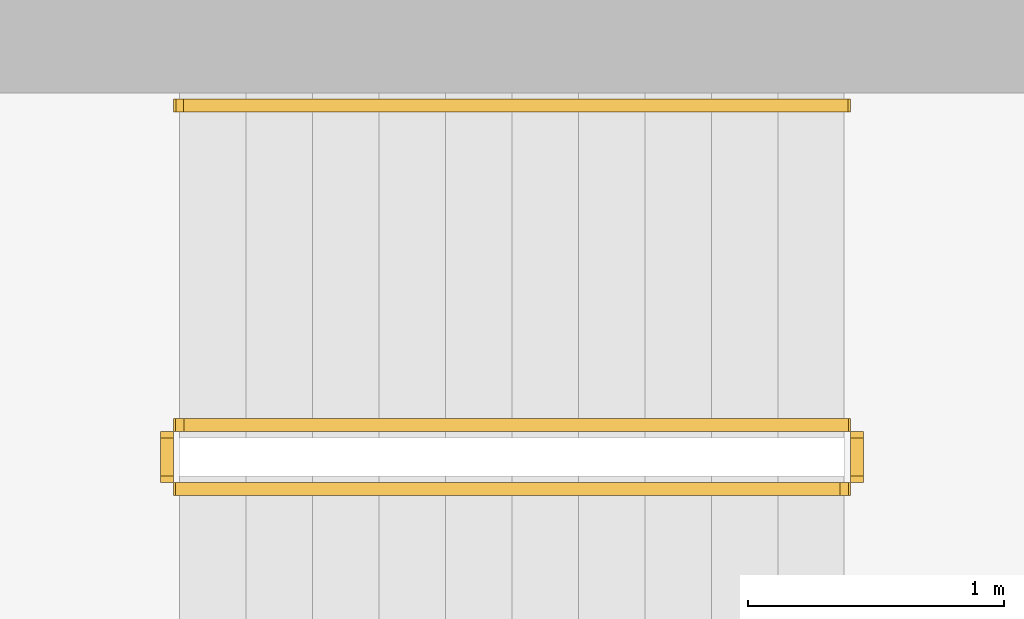
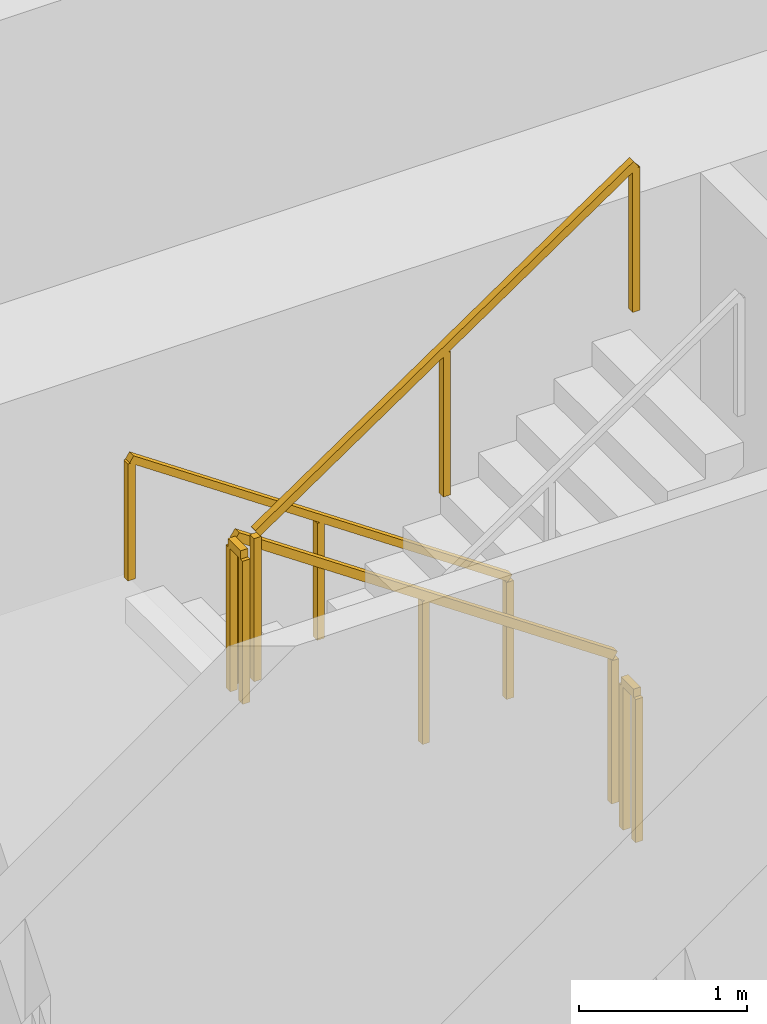
# One storey, part 13 of 14: 5 railings.
"""IFC4 building model written with IfcOpenShell, lengths in metres."""

from ifc_helpers import new_model, si_unit, direction, frame, origin, origin_2d, place, context, subcontext, project, spatial, rectangle, extrude, material, type_object, element, save


model = new_model("IFC4")

# Units and contexts
model_context = context("Model", 3, precision=1e-05, world=origin(), true_north=direction((0.0, 1.0)))
body_context = subcontext(model_context, "Body", "Model", "MODEL_VIEW")
ifc_project = project(units=[si_unit("LENGTHUNIT", "METRE"), si_unit("AREAUNIT", "SQUARE_METRE"), si_unit("VOLUMEUNIT", "CUBIC_METRE"), si_unit("PLANEANGLEUNIT", "RADIAN"), si_unit("MASSUNIT", "GRAM", prefix="KILO")], contexts=[model_context])

# Site, building, storey
site_placement = place(None, origin())
site = spatial("IfcSite", under=ifc_project, at=site_placement, CompositionType="ELEMENT")
building_placement = place(site_placement, origin())
building = spatial("IfcBuilding", under=site, at=building_placement, Name="Khepri Terraces", CompositionType="ELEMENT")
storey_placement = place(building_placement, frame((0.0, 0.0, 62.10009765625)))
storey = spatial("IfcBuildingStorey", under=building, at=storey_placement, Name="L14", CompositionType="ELEMENT", Elevation=62.10009765625)

# Railings
ifc_material = material(Name="Stainless steel 316", Category="steel")
railing_type_1 = type_object("IfcRailingType", Name="RL-CORE-GUARD", PredefinedType="GUARDRAIL", material=ifc_material)
railing_1_placement = place(storey_placement, frame((-0.25, 8.800048828125, 0.17724609375)))
element("IfcRailing", 1, at=railing_1_placement, inside=storey, type_object=railing_type_1, Name="L14 ST-3 stair guard 1", PredefinedType="GUARDRAIL", context=body_context, shape_type="SweptSolid", body=[
    extrude(rectangle(XDim=0.050048828125, YDim=0.06005859375, at=origin_2d()), frame((0.0, 0.0, 1.070068359375), z_axis=(-0.826240473404, 0.0, 0.563317565952), x_axis=(0.0, -1.0, 0.0)), (0.0, 0.0, 1.0), 3.14697265625),
    extrude(rectangle(XDim=0.050048828125, YDim=0.050048828125, at=origin_2d()), origin(), (0.0, 0.0, 1.0), 1.0400390625),
    extrude(rectangle(XDim=0.050048828125, YDim=0.050048828125, at=origin_2d()), frame((-1.300048828125, 0.0, 0.88623046875)), (0.0, 0.0, 1.0), 1.0400390625),
    extrude(rectangle(XDim=0.050048828125, YDim=0.050048828125, at=origin_2d()), frame((-2.60009765625, 0.0, 1.772705078125)), (0.0, 0.0, 1.0), 1.0400390625),
])
railing_2_placement = place(storey_placement, frame((-2.89990234375, 8.75, 1.949951171875)))
element("IfcRailing", 2, at=railing_2_placement, inside=storey, type_object=railing_type_1, Name="L14 ST-3 stair guard 2", PredefinedType="GUARDRAIL", context=body_context, shape_type="SweptSolid", body=[
    extrude(rectangle(XDim=0.050048828125, YDim=0.06005859375, at=origin_2d()), frame((0.0, 0.0, 1.070068359375), z_axis=(0.0, -1.0, 0.0), x_axis=(1.0, 0.0, 0.0)), (0.0, 0.0, 1.0), 0.14990234375),
    extrude(rectangle(XDim=0.050048828125, YDim=0.050048828125, at=origin_2d()), origin(), (0.0, 0.0, 1.0), 1.0400390625),
    extrude(rectangle(XDim=0.050048828125, YDim=0.050048828125, at=origin_2d()), frame((0.0, -0.14990234375, 0.0)), (0.0, 0.0, 1.0), 1.0400390625),
])
railing_3_placement = place(storey_placement, frame((-2.85009765625, 8.550048828125, 2.127197265625)))
element("IfcRailing", 3, at=railing_3_placement, inside=storey, type_object=railing_type_1, Name="L14 ST-3 stair guard 3", PredefinedType="GUARDRAIL", context=body_context, shape_type="SweptSolid", body=[
    extrude(rectangle(XDim=0.050048828125, YDim=0.06005859375, at=origin_2d()), frame((0.0, 0.0, 1.070068359375), z_axis=(0.826240473404, 0.0, 0.563317565952), x_axis=(0.0, 1.0, 0.0)), (0.0, 0.0, 1.0), 3.14697265625),
    extrude(rectangle(XDim=0.050048828125, YDim=0.050048828125, at=origin_2d()), origin(), (0.0, 0.0, 1.0), 1.0400390625),
    extrude(rectangle(XDim=0.050048828125, YDim=0.050048828125, at=origin_2d()), frame((1.300048828125, 0.0, 0.88623046875)), (0.0, 0.0, 1.0), 1.0400390625),
    extrude(rectangle(XDim=0.050048828125, YDim=0.050048828125, at=origin_2d()), frame((2.60009765625, 0.0, 1.772705078125)), (0.0, 0.0, 1.0), 1.0400390625),
])
railing_4_placement = place(storey_placement, frame((-0.199951171875, 8.75, 0.0)))
element("IfcRailing", 4, at=railing_4_placement, inside=storey, type_object=railing_type_1, Name="L14 ST-3 stair guard 4", PredefinedType="GUARDRAIL", context=body_context, shape_type="SweptSolid", body=[
    extrude(rectangle(XDim=0.050048828125, YDim=0.06005859375, at=origin_2d()), frame((0.0, 0.0, 1.070068359375), z_axis=(0.0, -1.0, 0.0), x_axis=(1.0, 0.0, 0.0)), (0.0, 0.0, 1.0), 0.14990234375),
    extrude(rectangle(XDim=0.050048828125, YDim=0.050048828125, at=origin_2d()), origin(), (0.0, 0.0, 1.0), 1.0400390625),
    extrude(rectangle(XDim=0.050048828125, YDim=0.050048828125, at=origin_2d()), frame((0.0, -0.14990234375, 0.0)), (0.0, 0.0, 1.0), 1.0400390625),
])
railing_type_2 = type_object("IfcRailingType", Name="RL-CORE-HANDRAIL", PredefinedType="HANDRAIL", material=ifc_material)
railing_5_placement = place(storey_placement, frame((-0.25, 10.050048828125, 0.17724609375)))
element("IfcRailing", 5, at=railing_5_placement, inside=storey, type_object=railing_type_2, Name="L14 ST-3 stair handrail 1", PredefinedType="HANDRAIL", context=body_context, shape_type="SweptSolid", body=[
    extrude(rectangle(XDim=0.050048828125, YDim=0.050048828125, at=origin_2d()), frame((0.0, 0.0, 0.875), z_axis=(-0.826240473404, 0.0, 0.563317565952), x_axis=(0.0, -1.0, 0.0)), (0.0, 0.0, 1.0), 3.14697265625),
    extrude(rectangle(XDim=0.050048828125, YDim=0.050048828125, at=origin_2d()), origin(), (0.0, 0.0, 1.0), 0.849853515625),
    extrude(rectangle(XDim=0.050048828125, YDim=0.050048828125, at=origin_2d()), frame((-1.300048828125, 0.0, 0.88623046875)), (0.0, 0.0, 1.0), 0.849853515625),
    extrude(rectangle(XDim=0.050048828125, YDim=0.050048828125, at=origin_2d()), frame((-2.60009765625, 0.0, 1.772705078125)), (0.0, 0.0, 1.0), 0.849853515625),
])

save(model, "model.ifc")
